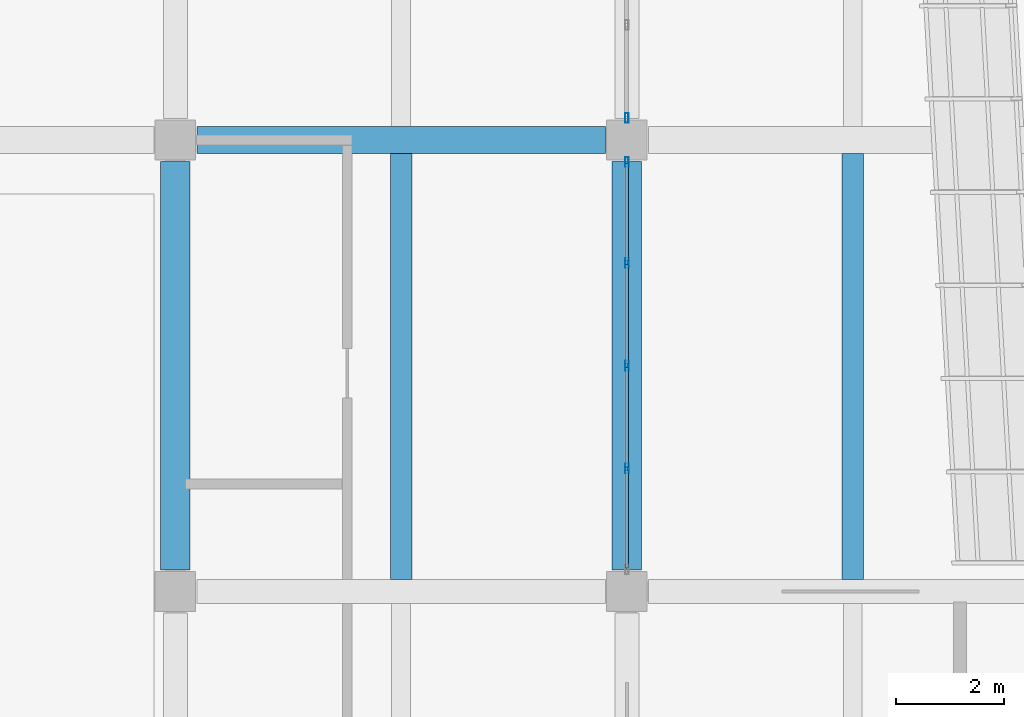
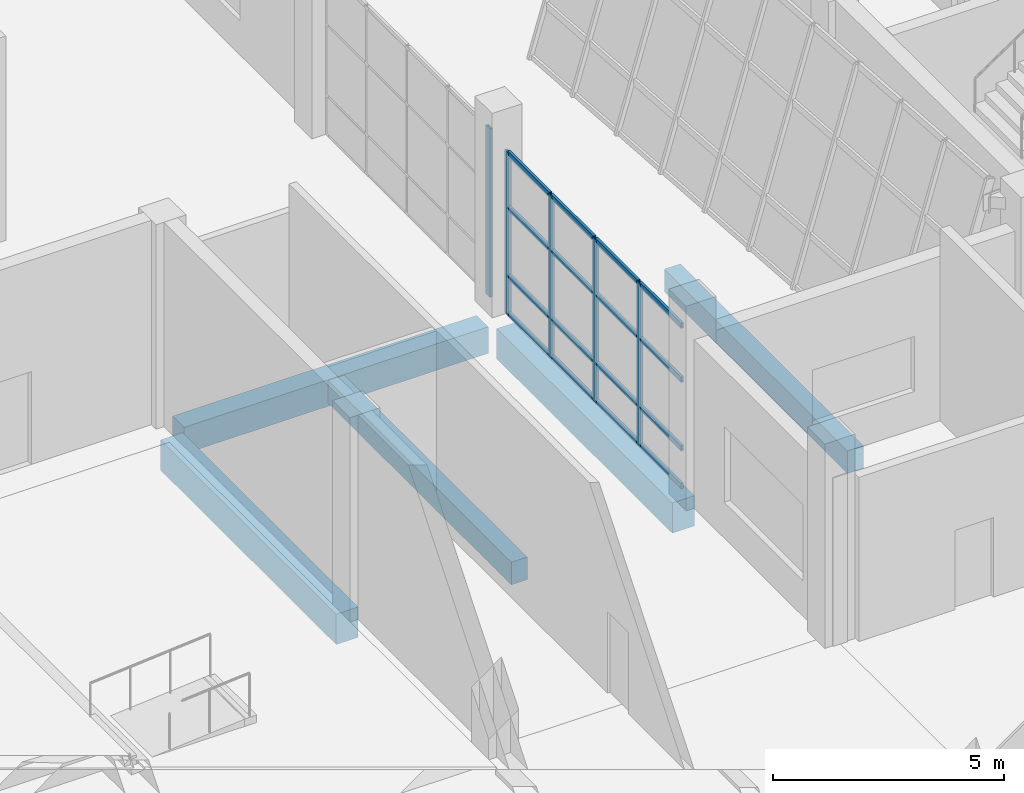
# One storey, part 18 of 78: 21 members, 5 beams, 2 elements without a shape of their own.
"""IFC4 building model written with IfcOpenShell, lengths in metres."""

import ifcopenshell
import ifcopenshell.guid

model = None  # the IFC model being written
_history = None  # IfcOwnerHistory: only IFC2X3 demands one
_inside = {}  # id of a spatial element -> (the spatial element, [elements in it])
_under = {}  # id of a project, library or spatial element -> (it, [spatial elements below it])
_declared = {}  # id of a project -> (the project, [libraries it declares])
_typed = {}  # id of a type object -> (the type object, [elements of that type])
_made_of = {}  # id of a material, layer set ... -> (it, [elements and type objects made of it])


def new_model(schema):
    """Start an empty IFC model of exactly this schema.

    Asked for "IFC4X3", IfcOpenShell would pick the latest addendum, in which some entities
    have other attributes; the version numbers below select the first issue.
    IFC2X3 requires an IfcOwnerHistory on every rooted entity: one is made here for all.
    """
    global model, _history
    if schema == "IFC4X3":
        model = ifcopenshell.file(schema_version=(4, 3, 0, 0))
    else:
        model = ifcopenshell.file(schema=schema)
    _inside.clear()
    _under.clear()
    _declared.clear()
    _typed.clear()
    _made_of.clear()
    _history = None
    if model.schema == "IFC2X3":
        org = make("IfcOrganization", Name="unknown")
        user = make(
            "IfcPersonAndOrganization",
            ThePerson=make("IfcPerson", FamilyName="unknown"),
            TheOrganization=org,
        )
        app = make(
            "IfcApplication",
            ApplicationDeveloper=org,
            Version="unknown",
            ApplicationFullName="unknown",
            ApplicationIdentifier="unknown",
        )
        _history = make(
            "IfcOwnerHistory",
            OwningUser=user,
            OwningApplication=app,
            ChangeAction="ADDED",
            CreationDate=0,
        )
    return model


def make(cls, **values):
    """One entity of the class cls with the attributes given. An attribute that is None is left unset."""
    return model.create_entity(
        cls, **{name: value for name, value in values.items() if value is not None}
    )


def rooted(cls, **values):
    """An entity with a GlobalId (a new one), such as an element, a storey or a relation."""
    return make(cls, GlobalId=ifcopenshell.guid.new(), OwnerHistory=_history, **values)


def si_unit(unit_type, name, prefix=None):
    """IfcSIUnit, for example si_unit("LENGTHUNIT", "METRE", prefix="MILLI")."""
    return make("IfcSIUnit", UnitType=unit_type, Prefix=prefix, Name=name)


def assignment(units):
    """IfcUnitAssignment: the units of a project."""
    return None if units is None else make("IfcUnitAssignment", Units=units)


def point(xyz):
    """IfcCartesianPoint."""
    return None if xyz is None else make("IfcCartesianPoint", Coordinates=xyz)


def direction(xyz):
    """IfcDirection."""
    return None if xyz is None else make("IfcDirection", DirectionRatios=xyz)


def frame(location, z_axis=None, x_axis=None):
    """IfcAxis2Placement3D, a coordinate frame: its origin and axes. An axis left out is left unset."""
    return make(
        "IfcAxis2Placement3D",
        Location=point(location),
        Axis=direction(z_axis),
        RefDirection=direction(x_axis),
    )


def frame_2d(location, x_axis=None):
    """IfcAxis2Placement2D, a coordinate frame in the plane: its origin and x axis."""
    return make(
        "IfcAxis2Placement2D", Location=point(location), RefDirection=direction(x_axis)
    )


def origin():
    """The frame at (0, 0, 0) with its axes left unset."""
    return frame((0.0, 0.0, 0.0))


def origin_2d():
    """The frame at (0, 0) in the plane with its x axis left unset."""
    return frame_2d((0.0, 0.0))


def place(relative_to, where):
    """IfcLocalPlacement: puts the frame where relative to a parent placement (None: the world)."""
    return make(
        "IfcLocalPlacement", PlacementRelTo=relative_to, RelativePlacement=where
    )


def context(
    kind, dimensions, precision=None, world=None, true_north=None, identifier=None
):
    """IfcGeometricRepresentationContext, for example the 3D "Model" context."""
    return make(
        "IfcGeometricRepresentationContext",
        ContextIdentifier=identifier,
        ContextType=kind,
        CoordinateSpaceDimension=dimensions,
        Precision=precision,
        WorldCoordinateSystem=world,
        TrueNorth=true_north,
    )


def subcontext(parent, identifier, kind, view, scale=None):
    """IfcGeometricRepresentationSubContext, for example "Body" below "Model"."""
    return make(
        "IfcGeometricRepresentationSubContext",
        ContextIdentifier=identifier,
        ContextType=kind,
        ParentContext=parent,
        TargetScale=scale,
        TargetView=view,
    )


def project(units=None, contexts=None):
    """IfcProject with its units and contexts."""
    return rooted(
        "IfcProject",
        Name="project",
        RepresentationContexts=contexts,
        UnitsInContext=assignment(units),
    )


def spatial(cls, under=None, at=None, **own):
    """A site, building, storey or space (cls), placed at a placement, below another one or the project."""
    s = rooted(cls, ObjectPlacement=at, **own)
    if under is not None:
        _under.setdefault(under.id(), (under, []))[1].append(s)
    return s


def profile(cls, at=None, kind="AREA", **sizes):
    """A parametric profile (cls). Its sizes go by their IFC names, for example OverallWidth=200.0."""
    return make(cls, ProfileType=kind, Position=at, **sizes)


def rectangle(**sizes):
    """IfcRectangleProfileDef."""
    return profile("IfcRectangleProfileDef", **sizes)


def hollow_rectangle(**sizes):
    """IfcRectangleHollowProfileDef."""
    return profile("IfcRectangleHollowProfileDef", **sizes)


def extrude(swept, where, along, depth):
    """IfcExtrudedAreaSolid: the profile swept, set in the frame where, extruded along a direction by depth."""
    return make(
        "IfcExtrudedAreaSolid",
        SweptArea=swept,
        Position=where,
        ExtrudedDirection=direction(along),
        Depth=depth,
    )


def shape(context_of_items, identifier, shape_type, items):
    """IfcShapeRepresentation: the items that make up one representation, for example the "Body"."""
    return make(
        "IfcShapeRepresentation",
        ContextOfItems=context_of_items,
        RepresentationIdentifier=identifier,
        RepresentationType=shape_type,
        Items=items,
    )


def material(Name=None, Category=None):
    """IfcMaterial."""
    return make("IfcMaterial", Name=Name, Category=Category)


def material_profile(
    of_material, cross_section, Name=None, Category=None, Priority=None
):
    """IfcMaterialProfile: a cross section and its material."""
    return make(
        "IfcMaterialProfile",
        Name=Name,
        Material=of_material,
        Profile=cross_section,
        Priority=Priority,
        Category=Category,
    )


def profile_set(profiles, Name=None, composite=None):
    """IfcMaterialProfileSet."""
    return make(
        "IfcMaterialProfileSet",
        Name=Name,
        MaterialProfiles=profiles,
        CompositeProfile=composite,
    )


def made_of(thing, what):
    """Note that an element or type object is made of a material, layer set ...; save() writes the relation."""
    if what is not None:
        _made_of.setdefault(what.id(), (what, []))[1].append(thing)
    return thing


def type_object(cls, material=None, **own):
    """A type object (cls), such as IfcWallType, which elements share."""
    return made_of(rooted(cls, **own), material)


def element(
    cls,
    number,
    at=None,
    inside=None,
    cuts=None,
    type_object=None,
    material=None,
    context=None,
    identifier="Body",
    shape_type=None,
    held_by="IfcProductDefinitionShape",
    body=None,
    shapes=None,
    **own,
):
    """One element of the class cls, such as IfcWall. Its Tag is "e" and its number.

    at: its placement. inside: the storey or other place that contains it. cuts: it is an
    opening in that element (IfcRelVoidsElement). A single representation is given by context,
    identifier, shape_type and body (its items); several are given by shapes. held_by: the class
    of the entity that holds the representations. save() writes the other relations.
    """
    e = rooted(cls, Tag="e%d" % number, ObjectPlacement=at, **own)
    if body is not None:
        shapes = [shape(context, identifier, shape_type, body)]
    if shapes is not None:
        e.Representation = make(held_by, Representations=shapes)
    if inside is not None:
        _inside.setdefault(inside.id(), (inside, []))[1].append(e)
    if cuts is not None:
        rooted(
            "IfcRelVoidsElement", RelatingBuildingElement=cuts, RelatedOpeningElement=e
        )
    if type_object is not None:
        _typed.setdefault(type_object.id(), (type_object, []))[1].append(e)
    return made_of(e, material)


def aggregate(whole, parts):
    """IfcRelAggregates: a whole, such as a stair, and the parts it consists of."""
    return rooted("IfcRelAggregates", RelatingObject=whole, RelatedObjects=parts)


def save(model, path):
    """Write the relations noted so far, then the file.

    IfcRelAggregates (storeys below a building ...), IfcRelContainedInSpatialStructure (elements
    in a storey), IfcRelDefinesByType, IfcRelAssociatesMaterial and IfcRelDeclares: one each for
    every whole, place, type object, material and project.
    """
    for whole, parts in _under.values():
        aggregate(whole, parts)
    for where, things in _inside.values():
        rooted(
            "IfcRelContainedInSpatialStructure",
            RelatedElements=things,
            RelatingStructure=where,
        )
    for kind, things in _typed.values():
        rooted("IfcRelDefinesByType", RelatedObjects=things, RelatingType=kind)
    for what, things in _made_of.values():
        rooted("IfcRelAssociatesMaterial", RelatedObjects=things, RelatingMaterial=what)
    for by, libraries in _declared.values():
        rooted("IfcRelDeclares", RelatingContext=by, RelatedDefinitions=libraries)
    model.write(path)


model = new_model("IFC4")

# Units and contexts
model_context = context("Model", 3, precision=1e-05, world=origin(), true_north=direction((0.0, 1.0)))
body_context = subcontext(model_context, "Body", "Model", "MODEL_VIEW")
ifc_project = project(units=[si_unit("LENGTHUNIT", "METRE"), si_unit("AREAUNIT", "SQUARE_METRE"), si_unit("VOLUMEUNIT", "CUBIC_METRE"), si_unit("PLANEANGLEUNIT", "RADIAN"), si_unit("MASSUNIT", "GRAM", prefix="KILO")], contexts=[model_context])

# Site, building, storey
site_placement = place(None, origin())
site = spatial("IfcSite", under=ifc_project, at=site_placement, CompositionType="ELEMENT")
building_placement = place(site_placement, origin())
building = spatial("IfcBuilding", under=site, at=building_placement, Name="Pellamere Symphony Hall", CompositionType="ELEMENT")
storey_placement = place(building_placement, origin())
storey = spatial("IfcBuildingStorey", under=building, at=storey_placement, Name="L00", CompositionType="ELEMENT", Elevation=0.0)

# Curtain wall, members
ifc_material_1 = material(Name="Thermally Broken Anodised Aluminium 6063-T6 Curtain Wall", Category="aluminium")
curtain_wall_type = type_object("IfcCurtainWallType", Name="Curtain Wall CW-04 (Chamber Music Lobby Curtain Wall)", PredefinedType="NOTDEFINED", material=ifc_material_1)
curtain_wall_1_placement = place(storey_placement, origin())
curtain_wall_1 = element("IfcCurtainWall", 1, at=curtain_wall_1_placement, inside=storey, type_object=curtain_wall_type, Name="Chamber Forecourt East Curtain Wall (L00 Bay 2)", PredefinedType="NOTDEFINED")
ifc_material_2 = material(Name="Anodised Architectural Aluminium 6063-T6", Category="aluminium")
ifc_material_profile_1 = material_profile(ifc_material_2, hollow_rectangle(XDim=0.06494140625, YDim=0.179931640625, WallThickness=0.00390625, at=origin_2d()), Name="ALU-M65X180X4")
ifc_profile_set_1 = profile_set([ifc_material_profile_1], Name="Anodised Architectural Aluminium 6063-T6")
member_type_1 = type_object("IfcMemberType", Name="Curtain Wall Mullion ML-02 ALU-M65X180X4", PredefinedType="MULLION", material=ifc_profile_set_1)
member_1_placement = place(storey_placement, frame((42.0, 32.28759765625, 0.0), z_axis=(0.0, 0.0, 1.0), x_axis=(-1.0, 0.0, 0.0)))
member_1 = element("IfcMember", 2, at=member_1_placement, type_object=member_type_1, Name="CW4E-110 crystal mullion 2", PredefinedType="MULLION", context=body_context, shape_type="SweptSolid", body=[
    extrude(hollow_rectangle(XDim=0.06494140625, YDim=0.179931640625, WallThickness=0.00390625, at=origin_2d()), origin(), (0.0, 0.0, 1.0), 4.300048828125),
])
member_2_placement = place(storey_placement, frame((42.0, 34.199951171875, 0.0), z_axis=(0.0, 0.0, 1.0), x_axis=(-1.0, 0.0, 0.0)))
member_2 = element("IfcMember", 3, at=member_2_placement, type_object=member_type_1, Name="CW4E-110 crystal mullion 3", PredefinedType="MULLION", context=body_context, shape_type="SweptSolid", body=[
    extrude(hollow_rectangle(XDim=0.06494140625, YDim=0.179931640625, WallThickness=0.00390625, at=origin_2d()), origin(), (0.0, 0.0, 1.0), 4.300048828125),
])
member_3_placement = place(storey_placement, frame((42.0, 36.112548828125, 0.0), z_axis=(0.0, 0.0, 1.0), x_axis=(-1.0, 0.0, 0.0)))
member_3 = element("IfcMember", 4, at=member_3_placement, type_object=member_type_1, Name="CW4E-110 crystal mullion 4", PredefinedType="MULLION", context=body_context, shape_type="SweptSolid", body=[
    extrude(hollow_rectangle(XDim=0.06494140625, YDim=0.179931640625, WallThickness=0.00390625, at=origin_2d()), origin(), (0.0, 0.0, 1.0), 4.300048828125),
])
member_4_placement = place(storey_placement, frame((42.0, 37.992431640625, 0.0), z_axis=(0.0, 0.0, 1.0), x_axis=(-1.0, 0.0, 0.0)))
member_4 = element("IfcMember", 5, at=member_4_placement, type_object=member_type_1, Name="CW4E-110 crystal mullion 5", PredefinedType="MULLION", context=body_context, shape_type="SweptSolid", body=[
    extrude(hollow_rectangle(XDim=0.06494140625, YDim=0.179931640625, WallThickness=0.00390625, at=origin_2d()), origin(), (0.0, 0.0, 1.0), 4.300048828125),
])

# Curtain wall, member
curtain_wall_2_placement = place(storey_placement, origin())
curtain_wall_2 = element("IfcCurtainWall", 6, at=curtain_wall_2_placement, inside=storey, type_object=curtain_wall_type, Name="Chamber Forecourt East Curtain Wall (L00 Bay 3)", PredefinedType="NOTDEFINED")
member_5_placement = place(storey_placement, frame((42.0, 38.8076171875, 0.0), z_axis=(0.0, 0.0, 1.0), x_axis=(-1.0, 0.0, 0.0)))
member_5 = element("IfcMember", 7, at=member_5_placement, type_object=member_type_1, Name="CW4E-111 crystal mullion 1", PredefinedType="MULLION", context=body_context, shape_type="SweptSolid", body=[
    extrude(hollow_rectangle(XDim=0.06494140625, YDim=0.179931640625, WallThickness=0.00390625, at=origin_2d()), origin(), (0.0, 0.0, 1.0), 4.449951171875),
])
aggregate(curtain_wall_2, [member_5])

# Member
ifc_material_profile_2 = material_profile(ifc_material_2, hollow_rectangle(XDim=0.06494140625, YDim=0.139892578125, WallThickness=0.00390625, at=origin_2d()), Name="ALU-T65X140X4")
ifc_profile_set_2 = profile_set([ifc_material_profile_2], Name="Anodised Architectural Aluminium 6063-T6")
member_type_2 = type_object("IfcMemberType", Name="Curtain Wall Transom TR-02 ALU-T65X140X4", PredefinedType="USERDEFINED", material=ifc_profile_set_2)
member_6_placement = place(storey_placement, frame((42.0, 30.43994140625, 0.032470703125), z_axis=(0.0, 1.0, 0.0), x_axis=(-1.0, 0.0, 0.0)))
member_6 = element("IfcMember", 8, at=member_6_placement, type_object=member_type_2, Name="CW4E-110 crystal transom 1.1", ObjectType="TRANSOM", PredefinedType="USERDEFINED", context=body_context, shape_type="SweptSolid", body=[
    extrude(hollow_rectangle(XDim=0.06494140625, YDim=0.139892578125, WallThickness=0.00390625, at=origin_2d()), origin(), (0.0, 0.0, 1.0), 1.81494140625),
])

member_7_placement = place(storey_placement, frame((42.0, 30.43994140625, 1.031982421875), z_axis=(0.0, 1.0, 0.0), x_axis=(-1.0, 0.0, 0.0)))
member_7 = element("IfcMember", 9, at=member_7_placement, type_object=member_type_2, Name="CW4E-110 crystal transom 1.2", ObjectType="TRANSOM", PredefinedType="USERDEFINED", context=body_context, shape_type="SweptSolid", body=[
    extrude(hollow_rectangle(XDim=0.06494140625, YDim=0.139892578125, WallThickness=0.00390625, at=origin_2d()), origin(), (0.0, 0.0, 1.0), 1.81494140625),
])

member_8_placement = place(storey_placement, frame((42.0, 30.43994140625, 2.837890625), z_axis=(0.0, 1.0, 0.0), x_axis=(-1.0, 0.0, 0.0)))
member_8 = element("IfcMember", 10, at=member_8_placement, type_object=member_type_2, Name="CW4E-110 crystal transom 1.3", ObjectType="TRANSOM", PredefinedType="USERDEFINED", context=body_context, shape_type="SweptSolid", body=[
    extrude(hollow_rectangle(XDim=0.06494140625, YDim=0.139892578125, WallThickness=0.00390625, at=origin_2d()), origin(), (0.0, 0.0, 1.0), 1.81494140625),
])

member_9_placement = place(storey_placement, frame((42.0, 30.43994140625, 4.267578125), z_axis=(0.0, 1.0, 0.0), x_axis=(-1.0, 0.0, 0.0)))
member_9 = element("IfcMember", 11, at=member_9_placement, type_object=member_type_2, Name="CW4E-110 crystal transom 1.4", ObjectType="TRANSOM", PredefinedType="USERDEFINED", context=body_context, shape_type="SweptSolid", body=[
    extrude(hollow_rectangle(XDim=0.06494140625, YDim=0.139892578125, WallThickness=0.00390625, at=origin_2d()), origin(), (0.0, 0.0, 1.0), 1.81494140625),
])

member_10_placement = place(storey_placement, frame((42.0, 32.320068359375, 0.032470703125), z_axis=(0.0, 1.0, 0.0), x_axis=(-1.0, 0.0, 0.0)))
member_10 = element("IfcMember", 12, at=member_10_placement, type_object=member_type_2, Name="CW4E-110 crystal transom 2.1", ObjectType="TRANSOM", PredefinedType="USERDEFINED", context=body_context, shape_type="SweptSolid", body=[
    extrude(hollow_rectangle(XDim=0.06494140625, YDim=0.139892578125, WallThickness=0.00390625, at=origin_2d()), origin(), (0.0, 0.0, 1.0), 1.847412109375),
])

member_11_placement = place(storey_placement, frame((42.0, 32.320068359375, 1.031982421875), z_axis=(0.0, 1.0, 0.0), x_axis=(-1.0, 0.0, 0.0)))
member_11 = element("IfcMember", 13, at=member_11_placement, type_object=member_type_2, Name="CW4E-110 crystal transom 2.2", ObjectType="TRANSOM", PredefinedType="USERDEFINED", context=body_context, shape_type="SweptSolid", body=[
    extrude(hollow_rectangle(XDim=0.06494140625, YDim=0.139892578125, WallThickness=0.00390625, at=origin_2d()), origin(), (0.0, 0.0, 1.0), 1.847412109375),
])

member_12_placement = place(storey_placement, frame((42.0, 32.320068359375, 2.837890625), z_axis=(0.0, 1.0, 0.0), x_axis=(-1.0, 0.0, 0.0)))
member_12 = element("IfcMember", 14, at=member_12_placement, type_object=member_type_2, Name="CW4E-110 crystal transom 2.3", ObjectType="TRANSOM", PredefinedType="USERDEFINED", context=body_context, shape_type="SweptSolid", body=[
    extrude(hollow_rectangle(XDim=0.06494140625, YDim=0.139892578125, WallThickness=0.00390625, at=origin_2d()), origin(), (0.0, 0.0, 1.0), 1.847412109375),
])

member_13_placement = place(storey_placement, frame((42.0, 32.320068359375, 4.267578125), z_axis=(0.0, 1.0, 0.0), x_axis=(-1.0, 0.0, 0.0)))
member_13 = element("IfcMember", 15, at=member_13_placement, type_object=member_type_2, Name="CW4E-110 crystal transom 2.4", ObjectType="TRANSOM", PredefinedType="USERDEFINED", context=body_context, shape_type="SweptSolid", body=[
    extrude(hollow_rectangle(XDim=0.06494140625, YDim=0.139892578125, WallThickness=0.00390625, at=origin_2d()), origin(), (0.0, 0.0, 1.0), 1.847412109375),
])

member_14_placement = place(storey_placement, frame((42.0, 34.232421875, 0.032470703125), z_axis=(0.0, 1.0, 0.0), x_axis=(-1.0, 0.0, 0.0)))
member_14 = element("IfcMember", 16, at=member_14_placement, type_object=member_type_2, Name="CW4E-110 crystal transom 3.1", ObjectType="TRANSOM", PredefinedType="USERDEFINED", context=body_context, shape_type="SweptSolid", body=[
    extrude(hollow_rectangle(XDim=0.06494140625, YDim=0.139892578125, WallThickness=0.00390625, at=origin_2d()), origin(), (0.0, 0.0, 1.0), 1.84765625),
])

member_15_placement = place(storey_placement, frame((42.0, 34.232421875, 1.031982421875), z_axis=(0.0, 1.0, 0.0), x_axis=(-1.0, 0.0, 0.0)))
member_15 = element("IfcMember", 17, at=member_15_placement, type_object=member_type_2, Name="CW4E-110 crystal transom 3.2", ObjectType="TRANSOM", PredefinedType="USERDEFINED", context=body_context, shape_type="SweptSolid", body=[
    extrude(hollow_rectangle(XDim=0.06494140625, YDim=0.139892578125, WallThickness=0.00390625, at=origin_2d()), origin(), (0.0, 0.0, 1.0), 1.84765625),
])

member_16_placement = place(storey_placement, frame((42.0, 34.232421875, 2.837890625), z_axis=(0.0, 1.0, 0.0), x_axis=(-1.0, 0.0, 0.0)))
member_16 = element("IfcMember", 18, at=member_16_placement, type_object=member_type_2, Name="CW4E-110 crystal transom 3.3", ObjectType="TRANSOM", PredefinedType="USERDEFINED", context=body_context, shape_type="SweptSolid", body=[
    extrude(hollow_rectangle(XDim=0.06494140625, YDim=0.139892578125, WallThickness=0.00390625, at=origin_2d()), origin(), (0.0, 0.0, 1.0), 1.84765625),
])

member_17_placement = place(storey_placement, frame((42.0, 34.232421875, 4.267578125), z_axis=(0.0, 1.0, 0.0), x_axis=(-1.0, 0.0, 0.0)))
member_17 = element("IfcMember", 19, at=member_17_placement, type_object=member_type_2, Name="CW4E-110 crystal transom 3.4", ObjectType="TRANSOM", PredefinedType="USERDEFINED", context=body_context, shape_type="SweptSolid", body=[
    extrude(hollow_rectangle(XDim=0.06494140625, YDim=0.139892578125, WallThickness=0.00390625, at=origin_2d()), origin(), (0.0, 0.0, 1.0), 1.84765625),
])

member_18_placement = place(storey_placement, frame((42.0, 36.14501953125, 0.032470703125), z_axis=(0.0, 1.0, 0.0), x_axis=(-1.0, 0.0, 0.0)))
member_18 = element("IfcMember", 20, at=member_18_placement, type_object=member_type_2, Name="CW4E-110 crystal transom 4.1", ObjectType="TRANSOM", PredefinedType="USERDEFINED", context=body_context, shape_type="SweptSolid", body=[
    extrude(hollow_rectangle(XDim=0.06494140625, YDim=0.139892578125, WallThickness=0.00390625, at=origin_2d()), origin(), (0.0, 0.0, 1.0), 1.81494140625),
])

member_19_placement = place(storey_placement, frame((42.0, 36.14501953125, 1.031982421875), z_axis=(0.0, 1.0, 0.0), x_axis=(-1.0, 0.0, 0.0)))
member_19 = element("IfcMember", 21, at=member_19_placement, type_object=member_type_2, Name="CW4E-110 crystal transom 4.2", ObjectType="TRANSOM", PredefinedType="USERDEFINED", context=body_context, shape_type="SweptSolid", body=[
    extrude(hollow_rectangle(XDim=0.06494140625, YDim=0.139892578125, WallThickness=0.00390625, at=origin_2d()), origin(), (0.0, 0.0, 1.0), 1.81494140625),
])

member_20_placement = place(storey_placement, frame((42.0, 36.14501953125, 2.837890625), z_axis=(0.0, 1.0, 0.0), x_axis=(-1.0, 0.0, 0.0)))
member_20 = element("IfcMember", 22, at=member_20_placement, type_object=member_type_2, Name="CW4E-110 crystal transom 4.3", ObjectType="TRANSOM", PredefinedType="USERDEFINED", context=body_context, shape_type="SweptSolid", body=[
    extrude(hollow_rectangle(XDim=0.06494140625, YDim=0.139892578125, WallThickness=0.00390625, at=origin_2d()), origin(), (0.0, 0.0, 1.0), 1.81494140625),
])

member_21_placement = place(storey_placement, frame((42.0, 36.14501953125, 4.267578125), z_axis=(0.0, 1.0, 0.0), x_axis=(-1.0, 0.0, 0.0)))
member_21 = element("IfcMember", 23, at=member_21_placement, type_object=member_type_2, Name="CW4E-110 crystal transom 4.4", ObjectType="TRANSOM", PredefinedType="USERDEFINED", context=body_context, shape_type="SweptSolid", body=[
    extrude(hollow_rectangle(XDim=0.06494140625, YDim=0.139892578125, WallThickness=0.00390625, at=origin_2d()), origin(), (0.0, 0.0, 1.0), 1.81494140625),
])

aggregate(curtain_wall_1, [member_1, member_2, member_3, member_4, member_6, member_7, member_8, member_9, member_10, member_11, member_12, member_13, member_14, member_15, member_16, member_17, member_18, member_19, member_20, member_21])

# Beams
ifc_material_3 = material(Name="Concrete 40 MPa", Category="concrete")
ifc_material_profile_3 = material_profile(ifc_material_3, rectangle(XDim=0.550048828125, YDim=0.800048828125, at=origin_2d()), Name="RC 550x800")
ifc_profile_set_3 = profile_set([ifc_material_profile_3], Name="Concrete 40 MPa")
beam_type_1 = type_object("IfcBeamType", Name="RC CB-05 550x800", PredefinedType="BEAM", material=ifc_profile_set_3)
for number, where, z_axis, x_axis, name in (
    (24, (33.60009765625, 30.39990234375, -0.699951171875), (0.0, 1.0, 0.0), (-1.0, 0.0, 0.0), "Girder CB-05-Y0223 (L00)"),
    (25, (42.0, 30.39990234375, -0.699951171875), (0.0, 1.0, 0.0), (-1.0, 0.0, 0.0), "Girder CB-05-Y0230 (L00)"),
):
    element("IfcBeam", number, at=place(storey_placement, frame(where, z_axis=z_axis, x_axis=x_axis)), inside=storey, type_object=beam_type_1, Name=name, PredefinedType="BEAM", context=body_context, shape_type="SweptSolid", body=[
        extrude(rectangle(XDim=0.550048828125, YDim=0.800048828125, at=origin_2d()), origin(), (0.0, 0.0, 1.0), 7.60009765625),
    ])
ifc_material_profile_4 = material_profile(ifc_material_3, rectangle(XDim=0.5, YDim=0.699951171875, at=origin_2d()), Name="RC 500x700")
ifc_profile_set_4 = profile_set([ifc_material_profile_4], Name="Concrete 40 MPa")
beam_type_2 = type_object("IfcBeamType", Name="RC CB-07 500x700", PredefinedType="BEAM", material=ifc_profile_set_4)
beam_placement = place(storey_placement, frame((34.0, 38.39990234375, -0.64990234375), z_axis=(1.0, 0.0, 0.0), x_axis=(0.0, 1.0, 0.0)))
element("IfcBeam", 26, at=beam_placement, inside=storey, type_object=beam_type_2, Name="Girder CB-07-X0072 (L00)", PredefinedType="BEAM", context=body_context, shape_type="SweptSolid", body=[
    extrude(rectangle(XDim=0.5, YDim=0.699951171875, at=origin_2d()), origin(), (0.0, 0.0, 1.0), 7.60009765625),
])
ifc_material_profile_5 = material_profile(ifc_material_3, rectangle(XDim=0.39990234375, YDim=0.60009765625, at=origin_2d()), Name="RC 400x600")
ifc_profile_set_5 = profile_set([ifc_material_profile_5], Name="Concrete 40 MPa")
beam_type_3 = type_object("IfcBeamType", Name="RC CB-09 400x600", PredefinedType="BEAM", material=ifc_profile_set_5)
for number, where, z_axis, x_axis, name in (
    (27, (37.800048828125, 30.22509765625, -0.614990234375), (0.0, 1.0, 0.0), (-1.0, 0.0, 0.0), "Secondary Floor Beam CB-09-M0404 (L00)"),
    (28, (46.199951171875, 30.22509765625, -0.614990234375), (0.0, 1.0, 0.0), (-1.0, 0.0, 0.0), "Secondary Floor Beam CB-09-M0504 (L00)"),
):
    element("IfcBeam", number, at=place(storey_placement, frame(where, z_axis=z_axis, x_axis=x_axis)), inside=storey, type_object=beam_type_3, Name=name, PredefinedType="BEAM", context=body_context, shape_type="SweptSolid", body=[
        extrude(rectangle(XDim=0.39990234375, YDim=0.60009765625, at=origin_2d()), origin(), (0.0, 0.0, 1.0), 7.9248046875),
    ])

save(model, "model.ifc")
